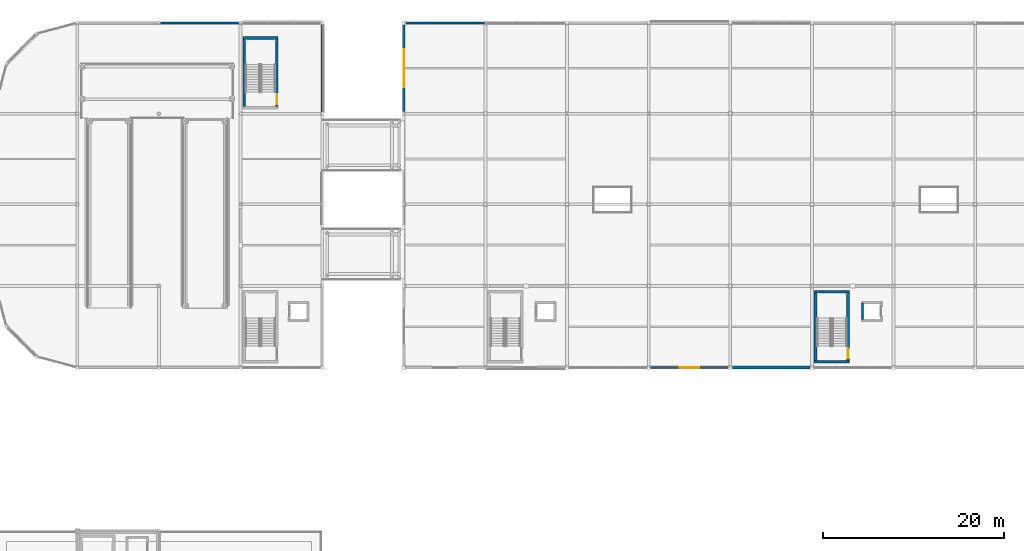
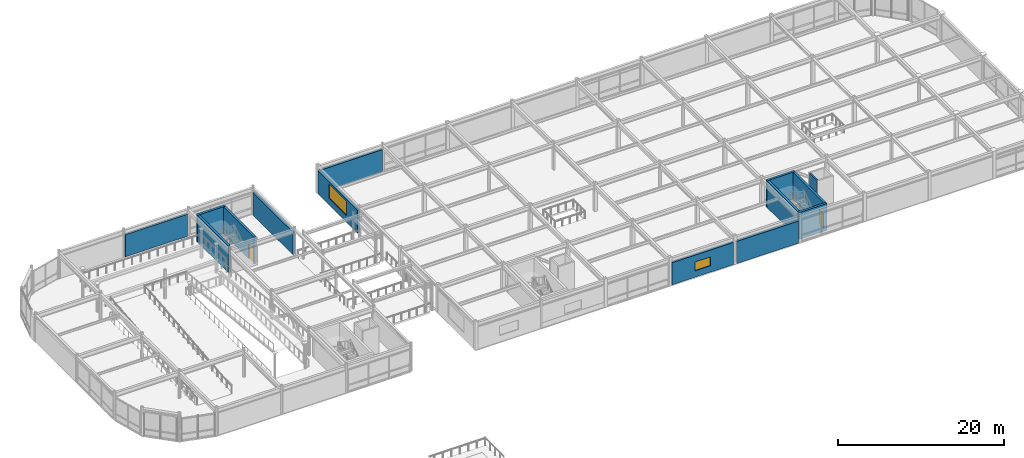
# One storey, part 47 of 70: 14 walls, 2 doors, 2 windows, 4 openings.
"""IFC4 building model written with IfcOpenShell, lengths in metres."""

from ifc_helpers import new_model, si_unit, direction, frame, frame_2d, origin, place, context, subcontext, project, spatial, rectangle, extrude, material, layer, layer_set, type_object, element, fill, save


model = new_model("IFC4")

# Units and contexts
model_context = context("Model", 3, precision=1e-05, world=origin(), true_north=direction((0.0, 1.0)))
body_context = subcontext(model_context, "Body", "Model", "MODEL_VIEW")
ifc_project = project(units=[si_unit("LENGTHUNIT", "METRE"), si_unit("AREAUNIT", "SQUARE_METRE"), si_unit("VOLUMEUNIT", "CUBIC_METRE"), si_unit("PLANEANGLEUNIT", "RADIAN"), si_unit("MASSUNIT", "GRAM", prefix="KILO")], contexts=[model_context])

# Site, building, storey
site_placement = place(None, origin())
site = spatial("IfcSite", under=ifc_project, at=site_placement, CompositionType="ELEMENT")
building_placement = place(site_placement, origin())
building = spatial("IfcBuilding", under=site, at=building_placement, Name="Suzunagisa Mobility Hub", CompositionType="ELEMENT")
storey_placement = place(building_placement, frame((0.0, 0.0, 13.5)))
storey = spatial("IfcBuildingStorey", under=building, at=storey_placement, Name="L03", CompositionType="ELEMENT", Elevation=13.5)

# Walls
ifc_material_1 = material(Name="Porcelain-Faced Insulated Concrete C30/37 Wall", Category="concrete")
ifc_layer_1 = layer(ifc_material_1, 0.260009765625)
ifc_layer_set_1 = layer_set([ifc_layer_1], Name="Porcelain-Faced Insulated Concrete C30/37 Wall")
wall_type_1 = type_object("IfcWallType", Name="Exterior Wall EW-03 260mm", PredefinedType="SOLIDWALL", material=ifc_layer_set_1)
wall_1_placement = place(storey_placement, frame((26.822265625, 118.0, 0.0), z_axis=(0.0, 0.0, 1.0), x_axis=(-1.0, 0.0, 0.0)))
element("IfcWall", 1, at=wall_1_placement, inside=storey, type_object=wall_type_1, Name="L03 Exterior Facade Wall EW-126", PredefinedType="SOLIDWALL", context=body_context, shape_type="SweptSolid", body=[
    extrude(rectangle(XDim=8.64453125, YDim=0.260009765625, at=frame_2d((4.322265625, 0.0))), origin(), (0.0, 0.0, 1.0), 3.25),
])
wall_2_placement = place(storey_placement, frame((53.89990234375, 118.0, 0.0), z_axis=(0.0, 0.0, 1.0), x_axis=(-1.0, 0.0, 0.0)))
element("IfcWall", 2, at=wall_2_placement, inside=storey, type_object=wall_type_1, Name="L03 Exterior Facade Wall EW-222", PredefinedType="SOLIDWALL", context=body_context, shape_type="SweptSolid", body=[
    extrude(rectangle(XDim=8.699951171875, YDim=0.260009765625, at=frame_2d((4.35009765625, 0.0))), origin(), (0.0, 0.0, 1.0), 3.25),
])

# Wall, opening, window
ifc_material_2 = material(Name="Lightweight Insulated Autoclaved Concrete C30/37 Wall", Category="concrete")
ifc_layer_2 = layer(ifc_material_2, 0.239990234375)
ifc_layer_set_2 = layer_set([ifc_layer_2], Name="Lightweight Insulated Autoclaved Concrete C30/37 Wall")
wall_type_2 = type_object("IfcWallType", Name="Exterior Wall EW-04 240mm", PredefinedType="SOLIDWALL", material=ifc_layer_set_2)
wall_3_placement = place(storey_placement, frame((72.199951171875, 80.0, 0.0), z_axis=(0.0, 0.0, 1.0), x_axis=(1.0, 0.0, 0.0)))
wall_3 = element("IfcWall", 3, at=wall_3_placement, inside=storey, type_object=wall_type_2, Name="L03 Exterior Facade Wall EW-211", PredefinedType="SOLIDWALL", context=body_context, shape_type="SweptSolid", body=[
    extrude(rectangle(XDim=8.60009765625, YDim=0.239990234375, at=frame_2d((4.300048828125, 0.0))), origin(), (0.0, 0.0, 1.0), 3.25),
])
opening_1_placement = place(wall_3_placement, frame((3.25, 0.0, 0.949951171875)))
opening_1 = element("IfcOpeningElement", 4, at=opening_1_placement, cuts=wall_3, Name="Opening WN-07", PredefinedType="OPENING", context=body_context, shape_type="SweptSolid", body=[
    extrude(rectangle(XDim=2.10009765625, YDim=1.300048828125, at=frame_2d((1.050048828125, 0.64990234375))), frame((0.0, 0.130859375, 0.0), z_axis=(0.0, -1.0, 0.0), x_axis=(1.0, 0.0, 0.0)), (0.0, 0.0, 1.0), 0.261962890625),
])
ifc_material_3 = material(Name="Thermally Broken Anodized Aluminum and Low-E Double Glazing", Category="aluminium")
window_type_1 = type_object("IfcWindowType", Name="Aluminum Window WN-07 2100x1300", PartitioningType="SINGLE_PANEL", PredefinedType="WINDOW", material=ifc_material_3)
window_1_placement = place(opening_1_placement, origin())
window_1 = element("IfcWindow", 5, at=window_1_placement, inside=storey, type_object=window_type_1, Name="L03 Scheduled Facade Window WN-80", OverallHeight=1.300048828125, OverallWidth=2.10009765625, PartitioningType="SINGLE_PANEL", PredefinedType="WINDOW", context=body_context, shape_type="SweptSolid", body=[
    extrude(rectangle(XDim=2.10009765625, YDim=1.300048828125, at=frame_2d((1.050048828125, 0.64990234375))), frame((0.0, 0.030029296875, 0.0), z_axis=(0.0, -1.0, 0.0), x_axis=(1.0, 0.0, 0.0)), (0.0, 0.0, 1.0), 0.06005859375),
])
fill(opening_1, window_1)

wall_4_placement = place(storey_placement, frame((45.0, 117.800048828125, 0.0), z_axis=(0.0, 0.0, 1.0), x_axis=(0.0, -1.0, 0.0)))
wall_4 = element("IfcWall", 6, at=wall_4_placement, inside=storey, type_object=wall_type_2, Name="L03 Exterior Facade Wall EW-223", PredefinedType="SOLIDWALL", context=body_context, shape_type="SweptSolid", body=[
    extrude(rectangle(XDim=9.60009765625, YDim=0.239990234375, at=frame_2d((4.800048828125, 0.0))), origin(), (0.0, 0.0, 1.0), 3.362060546875),
])
opening_2_placement = place(wall_4_placement, frame((2.699951171875, 0.0, 0.949951171875)))
opening_2 = element("IfcOpeningElement", 7, at=opening_2_placement, cuts=wall_4, Name="Opening WN-16", PredefinedType="OPENING", context=body_context, shape_type="SweptSolid", body=[
    extrude(rectangle(XDim=4.199951171875, YDim=2.10009765625, at=frame_2d((2.10009765625, 1.050048828125))), frame((0.0, 0.130859375, 0.0), z_axis=(0.0, -1.0, 0.0), x_axis=(1.0, 0.0, 0.0)), (0.0, 0.0, 1.0), 0.261962890625),
])
window_type_2 = type_object("IfcWindowType", Name="Aluminum Window WN-16 4200x2100", PartitioningType="SINGLE_PANEL", PredefinedType="WINDOW", material=ifc_material_3)
window_2_placement = place(opening_2_placement, origin())
window_2 = element("IfcWindow", 8, at=window_2_placement, inside=storey, type_object=window_type_2, Name="L03 Scheduled Facade Window WN-81", OverallHeight=2.10009765625, OverallWidth=4.199951171875, PartitioningType="SINGLE_PANEL", PredefinedType="WINDOW", context=body_context, shape_type="SweptSolid", body=[
    extrude(rectangle(XDim=4.199951171875, YDim=2.10009765625, at=frame_2d((2.10009765625, 1.050048828125))), frame((0.0, 0.030029296875, 0.0), z_axis=(0.0, -1.0, 0.0), x_axis=(1.0, 0.0, 0.0)), (0.0, 0.0, 1.0), 0.06005859375),
])
fill(opening_2, window_2)

# Walls
ifc_layer_3 = layer(ifc_material_1, 0.280029296875)
ifc_layer_set_3 = layer_set([ifc_layer_3], Name="Porcelain-Faced Insulated Concrete C30/37 Wall")
wall_type_3 = type_object("IfcWallType", Name="Exterior Wall EW-08 280mm", PredefinedType="SOLIDWALL", material=ifc_layer_set_3)
wall_5_placement = place(storey_placement, frame((36.0, 108.177734375, 0.0), z_axis=(0.0, 0.0, 1.0), x_axis=(0.0, 1.0, 0.0)))
element("IfcWall", 9, at=wall_5_placement, inside=storey, type_object=wall_type_3, Name="L03 Exterior Facade Wall EW-125", PredefinedType="SOLIDWALL", context=body_context, shape_type="SweptSolid", body=[
    extrude(rectangle(XDim=9.64453125, YDim=0.280029296875, at=frame_2d((4.822265625, 0.0))), origin(), (0.0, 0.0, 1.0), 3.300048828125),
])
ifc_material_4 = material(Name="Insulated Precast Concrete C35/45 Panel", Category="concrete")
ifc_layer_4 = layer(ifc_material_4, 0.300048828125)
ifc_layer_set_4 = layer_set([ifc_layer_4], Name="Insulated Precast Concrete C35/45 Panel")
wall_type_4 = type_object("IfcWallType", Name="Exterior Wall EW-09 300mm", PredefinedType="SOLIDWALL", material=ifc_layer_set_4)
wall_6_placement = place(storey_placement, frame((81.199951171875, 80.0, 0.0), z_axis=(0.0, 0.0, 1.0), x_axis=(1.0, 0.0, 0.0)))
element("IfcWall", 10, at=wall_6_placement, inside=storey, type_object=wall_type_4, Name="L03 Exterior Facade Wall EW-212", PredefinedType="SOLIDWALL", context=body_context, shape_type="SweptSolid", body=[
    extrude(rectangle(XDim=8.60009765625, YDim=0.300048828125, at=frame_2d((4.300048828125, 0.0))), origin(), (0.0, 0.0, 1.0), 3.25),
])
ifc_material_5 = material(Name="Concrete C35/45", Category="concrete")
ifc_layer_5 = layer(ifc_material_5, 0.31005859375)
ifc_layer_set_5 = layer_set([ifc_layer_5], Name="Concrete C35/45")
wall_type_5 = type_object("IfcWallType", Name="Interior Wall IW-01 310mm", PredefinedType="SHEAR", material=ifc_layer_set_5)
wall_7_placement = place(storey_placement, frame((27.25, 116.35498046875, 0.0), z_axis=(0.0, 0.0, 1.0), x_axis=(1.0, 0.0, 0.0)))
element("IfcWall", 11, at=wall_7_placement, inside=storey, type_object=wall_type_5, Name="L03 Core C6B Shear Wall SW-174", PredefinedType="SHEAR", context=body_context, shape_type="SweptSolid", body=[
    extrude(rectangle(XDim=3.89990234375, YDim=0.31005859375, at=frame_2d((1.949951171875, 0.0))), origin(), (0.0, 0.0, 1.0), 3.949951171875),
])
wall_8_placement = place(storey_placement, frame((27.405029296875, 108.800048828125, 0.0), z_axis=(0.0, 0.0, 1.0), x_axis=(0.0, 1.0, 0.0)))
element("IfcWall", 12, at=wall_8_placement, inside=storey, type_object=wall_type_5, Name="L03 Core C6B Shear Wall SW-175", PredefinedType="SHEAR", context=body_context, shape_type="SweptSolid", body=[
    extrude(rectangle(XDim=7.39990234375, YDim=0.31005859375, at=frame_2d((3.699951171875, 0.0))), origin(), (0.0, 0.0, 1.0), 3.949951171875),
])

# Wall, opening, door
wall_9_placement = place(storey_placement, frame((30.9951171875, 108.800048828125, 0.0), z_axis=(0.0, 0.0, 1.0), x_axis=(0.0, 1.0, 0.0)))
wall_9 = element("IfcWall", 13, at=wall_9_placement, inside=storey, type_object=wall_type_5, Name="L03 Core C6B Shear Wall SW-176", PredefinedType="SHEAR", context=body_context, shape_type="SweptSolid", body=[
    extrude(rectangle(XDim=7.39990234375, YDim=0.31005859375, at=frame_2d((3.699951171875, 0.0))), origin(), (0.0, 0.0, 1.0), 3.949951171875),
])
opening_3_placement = place(wall_9_placement, frame((0.219970703125, 0.0, 0.0)))
opening_3 = element("IfcOpeningElement", 14, at=opening_3_placement, cuts=wall_9, Name="Opening DR-05", PredefinedType="OPENING", context=body_context, shape_type="SweptSolid", body=[
    extrude(rectangle(XDim=1.10009765625, YDim=2.14990234375, at=frame_2d((0.550048828125, 1.074951171875))), frame((0.0, 0.166015625, 0.0), z_axis=(0.0, -1.0, 0.0), x_axis=(1.0, 0.0, 0.0)), (0.0, 0.0, 1.0), 0.33203125),
])
ifc_material_6 = material(Name="Fire-Rated Hollow Steel Stair Door", Category="steel")
door_type = type_object("IfcDoorType", Name="Interior Door DR-05 1100x2150", OperationType="SINGLE_SWING_LEFT", PredefinedType="DOOR", material=ifc_material_6)
door_1_placement = place(opening_3_placement, origin())
door_1 = element("IfcDoor", 15, at=door_1_placement, inside=storey, type_object=door_type, Name="L03 Core C6B Escape Stair Fire Door SD-42", OperationType="SINGLE_SWING_LEFT", OverallHeight=2.14990234375, OverallWidth=1.10009765625, PredefinedType="DOOR", context=body_context, shape_type="SweptSolid", body=[
    extrude(rectangle(XDim=1.10009765625, YDim=2.14990234375, at=frame_2d((0.550048828125, 1.074951171875))), frame((0.0, 0.02490234375, 0.0), z_axis=(0.0, -1.0, 0.0), x_axis=(1.0, 0.0, 0.0)), (0.0, 0.0, 1.0), 0.050048828125),
])
fill(opening_3, door_1)

# Walls
for number, where, z_axis, x_axis, name in (
    (16, (90.25, 80.64501953125, 0.0), (0.0, 0.0, 1.0), (1.0, 0.0, 0.0), "L03 Core C4 Shear Wall SW-277"),
    (17, (90.25, 88.35498046875, 0.0), (0.0, 0.0, 1.0), (1.0, 0.0, 0.0), "L03 Core C4 Shear Wall SW-278"),
):
    element("IfcWall", number, at=place(storey_placement, frame(where, z_axis=z_axis, x_axis=x_axis)), inside=storey, type_object=wall_type_5, Name=name, PredefinedType="SHEAR", context=body_context, shape_type="SweptSolid", body=[
        extrude(rectangle(XDim=3.89990234375, YDim=0.31005859375, at=frame_2d((1.949951171875, 0.0))), origin(), (0.0, 0.0, 1.0), 3.93994140625),
    ])
wall_10_placement = place(storey_placement, frame((90.405029296875, 80.800048828125, 0.0), z_axis=(0.0, 0.0, 1.0), x_axis=(0.0, 1.0, 0.0)))
element("IfcWall", 18, at=wall_10_placement, inside=storey, type_object=wall_type_5, Name="L03 Core C4 Shear Wall SW-279", PredefinedType="SHEAR", context=body_context, shape_type="SweptSolid", body=[
    extrude(rectangle(XDim=7.39990234375, YDim=0.31005859375, at=frame_2d((3.699951171875, 0.0))), origin(), (0.0, 0.0, 1.0), 3.93994140625),
])

# Wall, opening, door
wall_11_placement = place(storey_placement, frame((93.9951171875, 80.800048828125, 0.0), z_axis=(0.0, 0.0, 1.0), x_axis=(0.0, 1.0, 0.0)))
wall_11 = element("IfcWall", 19, at=wall_11_placement, inside=storey, type_object=wall_type_5, Name="L03 Core C4 Shear Wall SW-280", PredefinedType="SHEAR", context=body_context, shape_type="SweptSolid", body=[
    extrude(rectangle(XDim=7.39990234375, YDim=0.31005859375, at=frame_2d((3.699951171875, 0.0))), origin(), (0.0, 0.0, 1.0), 3.93994140625),
])
opening_4_placement = place(wall_11_placement, frame((0.219970703125, 0.0, 0.0)))
opening_4 = element("IfcOpeningElement", 20, at=opening_4_placement, cuts=wall_11, Name="Opening DR-05", PredefinedType="OPENING", context=body_context, shape_type="SweptSolid", body=[
    extrude(rectangle(XDim=1.10009765625, YDim=2.14990234375, at=frame_2d((0.550048828125, 1.074951171875))), frame((0.0, 0.166015625, 0.0), z_axis=(0.0, -1.0, 0.0), x_axis=(1.0, 0.0, 0.0)), (0.0, 0.0, 1.0), 0.33203125),
])
door_2_placement = place(opening_4_placement, origin())
door_2 = element("IfcDoor", 21, at=door_2_placement, inside=storey, type_object=door_type, Name="L03 Core C4 Escape Stair Fire Door SD-68", OperationType="SINGLE_SWING_LEFT", OverallHeight=2.14990234375, OverallWidth=1.10009765625, PredefinedType="DOOR", context=body_context, shape_type="SweptSolid", body=[
    extrude(rectangle(XDim=1.10009765625, YDim=2.14990234375, at=frame_2d((0.550048828125, 1.074951171875))), frame((0.0, 0.02490234375, 0.0), z_axis=(0.0, -1.0, 0.0), x_axis=(1.0, 0.0, 0.0)), (0.0, 0.0, 1.0), 0.050048828125),
])
fill(opening_4, door_2)

# Wall
ifc_material_7 = material(Name="Fire-Rated Gypsum Stud Partition", Category="gypsum")
ifc_layer_6 = layer(ifc_material_7, 0.2099609375)
ifc_layer_set_6 = layer_set([ifc_layer_6], Name="Fire-Rated Gypsum Stud Partition")
wall_type_6 = type_object("IfcWallType", Name="Interior Wall IW-03 210mm", PredefinedType="PARTITIONING", material=ifc_layer_set_6)
wall_12_placement = place(storey_placement, frame((95.574951171875, 85.330078125, 0.0), z_axis=(0.0, 0.0, 1.0), x_axis=(0.0, 1.0, 0.0)))
element("IfcWall", 22, at=wall_12_placement, inside=storey, type_object=wall_type_6, Name="L03 Lift LF-07 Shaft Back Wall", PredefinedType="PARTITIONING", context=body_context, shape_type="SweptSolid", body=[
    extrude(rectangle(XDim=1.739990234375, YDim=0.2099609375, at=frame_2d((0.8701171875, 0.0))), origin(), (0.0, 0.0, 1.0), 3.93994140625),
])

save(model, "model.ifc")
